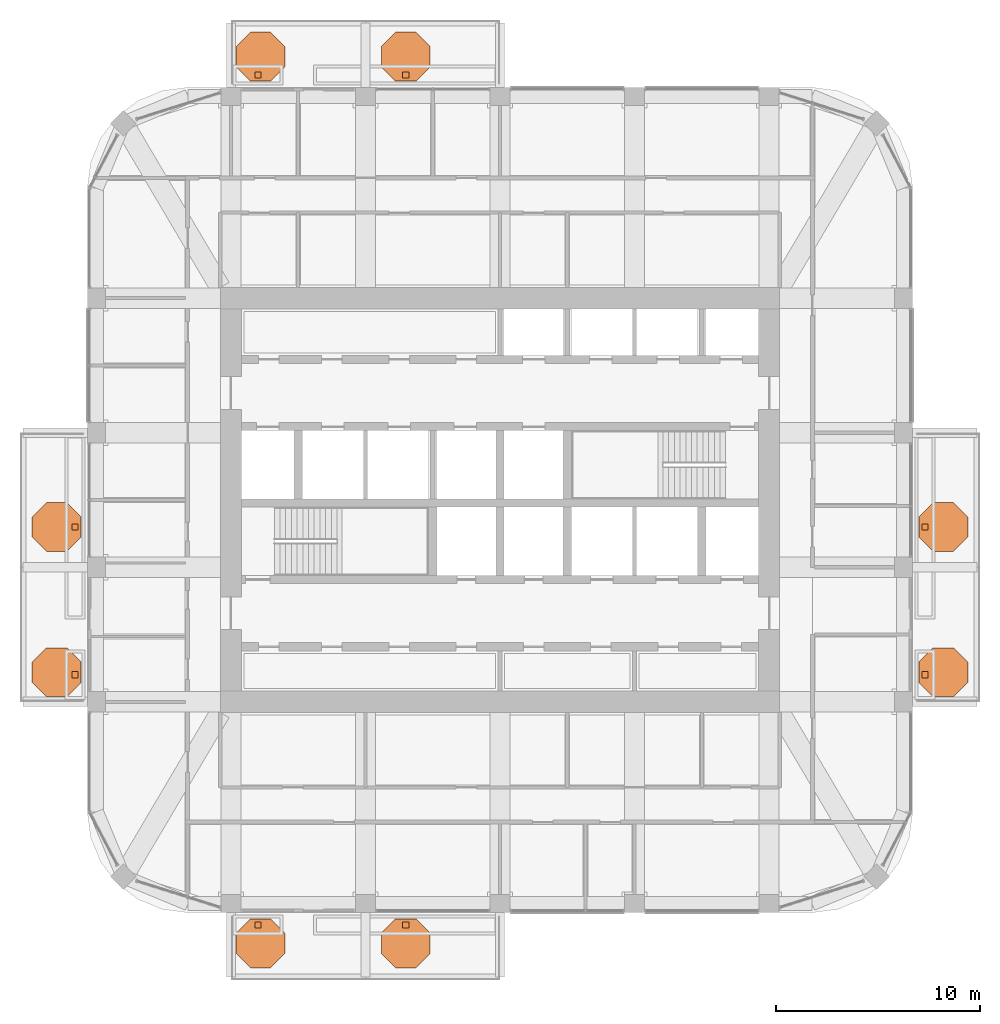
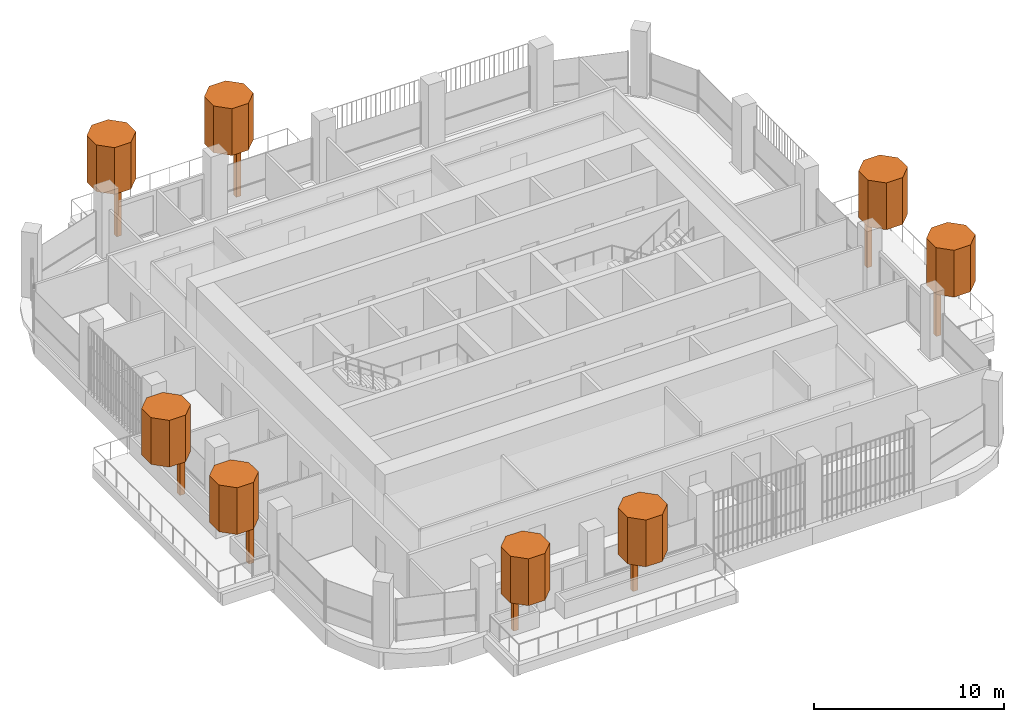
# One storey, part 18 of 18: 16 geographic elements.
"""IFC4 building model written with IfcOpenShell, lengths in metres."""

from ifc_helpers import new_model, si_unit, direction, frame, origin, origin_2d, place, context, subcontext, project, spatial, polyline, rectangle, outline, extrude, material, type_object, element, save


model = new_model("IFC4")

# Units and contexts
model_context = context("Model", 3, precision=1e-05, world=origin(), true_north=direction((0.0, 1.0)))
body_context = subcontext(model_context, "Body", "Model", "MODEL_VIEW")
ifc_project = project(units=[si_unit("LENGTHUNIT", "METRE"), si_unit("AREAUNIT", "SQUARE_METRE"), si_unit("VOLUMEUNIT", "CUBIC_METRE"), si_unit("PLANEANGLEUNIT", "RADIAN"), si_unit("MASSUNIT", "GRAM", prefix="KILO")], contexts=[model_context])

# Site, building, storey
site_placement = place(None, origin())
site = spatial("IfcSite", under=ifc_project, at=site_placement, CompositionType="ELEMENT")
building_placement = place(site_placement, origin())
building = spatial("IfcBuilding", under=site, at=building_placement, Name="Cobogo Forest Laboratory Tower", CompositionType="ELEMENT")
storey_placement = place(building_placement, frame((0.0, 0.0, 271.199951171875)))
storey = spatial("IfcBuildingStorey", under=building, at=storey_placement, Name="L62", CompositionType="ELEMENT", Elevation=271.199951171875)

# Geographic elements
ifc_material = material(Name="Planting", Category="plant")
geographic_element_type_1 = type_object("IfcGeographicElementType", Name="Tree trunk 300", PredefinedType="USERDEFINED", material=ifc_material)
for number, where, z_axis, x_axis, name in (
    (1, (14.52490234375, 2.25, 0.0), (0.0, 0.0, 1.0), (1.0, 0.0, 0.0), "Tree trunk BAL-S1-PL1 L62"),
    (2, (21.77490234375, 2.25, 0.0), (0.0, 0.0, 1.0), (1.0, 0.0, 0.0), "Tree trunk BAL-S1-PL2 L62"),
    (3, (47.25, 14.52490234375, 0.0), (0.0, 0.0, 1.0), (1.0, 0.0, 0.0), "Tree trunk BAL-E1-PL1 L62"),
    (4, (47.25, 21.77490234375, 0.0), (0.0, 0.0, 1.0), (1.0, 0.0, 0.0), "Tree trunk BAL-E1-PL2 L62"),
    (5, (14.52490234375, 43.949951171875, 0.0), (0.0, 0.0, 1.0), (1.0, 0.0, 0.0), "Tree trunk BAL-N1-PL1 L62"),
    (6, (21.77490234375, 43.949951171875, 0.0), (0.0, 0.0, 1.0), (1.0, 0.0, 0.0), "Tree trunk BAL-N1-PL2 L62"),
    (7, (5.550048828125, 14.52490234375, 0.0), (0.0, 0.0, 1.0), (1.0, 0.0, 0.0), "Tree trunk BAL-W1-PL1 L62"),
    (8, (5.550048828125, 21.77490234375, 0.0), (0.0, 0.0, 1.0), (1.0, 0.0, 0.0), "Tree trunk BAL-W1-PL2 L62"),
):
    element("IfcGeographicElement", number, at=place(storey_placement, frame(where, z_axis=z_axis, x_axis=x_axis)), inside=storey, type_object=geographic_element_type_1, Name=name, ObjectType="TREE TRUNK", PredefinedType="USERDEFINED", context=body_context, shape_type="SweptSolid", body=[
        extrude(rectangle(XDim=0.300048828125, YDim=0.300048828125, at=origin_2d()), origin(), (0.0, 0.0, 1.0), 2.89990234375),
    ])
geographic_element_type_2 = type_object("IfcGeographicElementType", Name="Tree, holm oak 5 m", PredefinedType="USERDEFINED", material=ifc_material)
geographic_element_1_placement = place(storey_placement, frame((0.0, 0.0, 2.900146484375)))
element("IfcGeographicElement", 9, at=geographic_element_1_placement, inside=storey, type_object=geographic_element_type_2, Name="Holm tree BAL-S1-PL1 L62", ObjectType="TREE", PredefinedType="USERDEFINED", context=body_context, shape_type="SweptSolid", body=[
    extrude(outline(polyline([(15.85009765625, 0.85302734375), (15.85009765625, 1.84716796875), (15.14697265625, 2.550048828125), (14.15283203125, 2.550048828125), (13.449951171875, 1.84716796875), (13.449951171875, 0.85302734375), (14.15283203125, 0.14990234375), (15.14697265625, 0.14990234375), (15.85009765625, 0.85302734375)])), origin(), (0.0, 0.0, 1.0), 3.0),
])
geographic_element_2_placement = place(storey_placement, frame((0.0, 0.0, 2.900146484375)))
element("IfcGeographicElement", 10, at=geographic_element_2_placement, inside=storey, type_object=geographic_element_type_2, Name="Holm tree BAL-S1-PL2 L62", ObjectType="TREE", PredefinedType="USERDEFINED", context=body_context, shape_type="SweptSolid", body=[
    extrude(outline(polyline([(22.97509765625, 0.85302734375), (22.97509765625, 1.84716796875), (22.27197265625, 2.550048828125), (21.27783203125, 2.550048828125), (20.574951171875, 1.84716796875), (20.574951171875, 0.85302734375), (21.27783203125, 0.14990234375), (22.27197265625, 0.14990234375), (22.97509765625, 0.85302734375)])), origin(), (0.0, 0.0, 1.0), 3.0),
])
geographic_element_3_placement = place(storey_placement, frame((0.0, 0.0, 2.900146484375)))
element("IfcGeographicElement", 11, at=geographic_element_3_placement, inside=storey, type_object=geographic_element_type_2, Name="Holm tree BAL-E1-PL1 L62", ObjectType="TREE", PredefinedType="USERDEFINED", context=body_context, shape_type="SweptSolid", body=[
    extrude(outline(polyline([(49.35009765625, 14.15283203125), (49.35009765625, 15.14697265625), (48.64697265625, 15.85009765625), (47.65283203125, 15.85009765625), (46.949951171875, 15.14697265625), (46.949951171875, 14.15283203125), (47.65283203125, 13.449951171875), (48.64697265625, 13.449951171875), (49.35009765625, 14.15283203125)])), origin(), (0.0, 0.0, 1.0), 3.0),
])
geographic_element_4_placement = place(storey_placement, frame((0.0, 0.0, 2.900146484375)))
element("IfcGeographicElement", 12, at=geographic_element_4_placement, inside=storey, type_object=geographic_element_type_2, Name="Holm tree BAL-E1-PL2 L62", ObjectType="TREE", PredefinedType="USERDEFINED", context=body_context, shape_type="SweptSolid", body=[
    extrude(outline(polyline([(49.35009765625, 21.27783203125), (49.35009765625, 22.27197265625), (48.64697265625, 22.97509765625), (47.65283203125, 22.97509765625), (46.949951171875, 22.27197265625), (46.949951171875, 21.27783203125), (47.65283203125, 20.574951171875), (48.64697265625, 20.574951171875), (49.35009765625, 21.27783203125)])), origin(), (0.0, 0.0, 1.0), 3.0),
])
geographic_element_5_placement = place(storey_placement, frame((0.0, 0.0, 2.900146484375)))
element("IfcGeographicElement", 13, at=geographic_element_5_placement, inside=storey, type_object=geographic_element_type_2, Name="Holm tree BAL-N1-PL1 L62", ObjectType="TREE", PredefinedType="USERDEFINED", context=body_context, shape_type="SweptSolid", body=[
    extrude(outline(polyline([(15.85009765625, 44.35302734375), (15.85009765625, 45.34716796875), (15.14697265625, 46.050048828125), (14.15283203125, 46.050048828125), (13.449951171875, 45.34716796875), (13.449951171875, 44.35302734375), (14.15283203125, 43.64990234375), (15.14697265625, 43.64990234375), (15.85009765625, 44.35302734375)])), origin(), (0.0, 0.0, 1.0), 3.0),
])
geographic_element_6_placement = place(storey_placement, frame((0.0, 0.0, 2.900146484375)))
element("IfcGeographicElement", 14, at=geographic_element_6_placement, inside=storey, type_object=geographic_element_type_2, Name="Holm tree BAL-N1-PL2 L62", ObjectType="TREE", PredefinedType="USERDEFINED", context=body_context, shape_type="SweptSolid", body=[
    extrude(outline(polyline([(22.97509765625, 44.35302734375), (22.97509765625, 45.34716796875), (22.27197265625, 46.050048828125), (21.27783203125, 46.050048828125), (20.574951171875, 45.34716796875), (20.574951171875, 44.35302734375), (21.27783203125, 43.64990234375), (22.27197265625, 43.64990234375), (22.97509765625, 44.35302734375)])), origin(), (0.0, 0.0, 1.0), 3.0),
])
geographic_element_7_placement = place(storey_placement, frame((0.0, 0.0, 2.900146484375)))
element("IfcGeographicElement", 15, at=geographic_element_7_placement, inside=storey, type_object=geographic_element_type_2, Name="Holm tree BAL-W1-PL1 L62", ObjectType="TREE", PredefinedType="USERDEFINED", context=body_context, shape_type="SweptSolid", body=[
    extrude(outline(polyline([(5.85009765625, 14.15283203125), (5.85009765625, 15.14697265625), (5.14697265625, 15.85009765625), (4.15283203125, 15.85009765625), (3.449951171875, 15.14697265625), (3.449951171875, 14.15283203125), (4.15283203125, 13.449951171875), (5.14697265625, 13.449951171875), (5.85009765625, 14.15283203125)])), origin(), (0.0, 0.0, 1.0), 3.0),
])
geographic_element_8_placement = place(storey_placement, frame((0.0, 0.0, 2.900146484375)))
element("IfcGeographicElement", 16, at=geographic_element_8_placement, inside=storey, type_object=geographic_element_type_2, Name="Holm tree BAL-W1-PL2 L62", ObjectType="TREE", PredefinedType="USERDEFINED", context=body_context, shape_type="SweptSolid", body=[
    extrude(outline(polyline([(5.85009765625, 21.27783203125), (5.85009765625, 22.27197265625), (5.14697265625, 22.97509765625), (4.15283203125, 22.97509765625), (3.449951171875, 22.27197265625), (3.449951171875, 21.27783203125), (4.15283203125, 20.574951171875), (5.14697265625, 20.574951171875), (5.85009765625, 21.27783203125)])), origin(), (0.0, 0.0, 1.0), 3.0),
])

save(model, "model.ifc")
